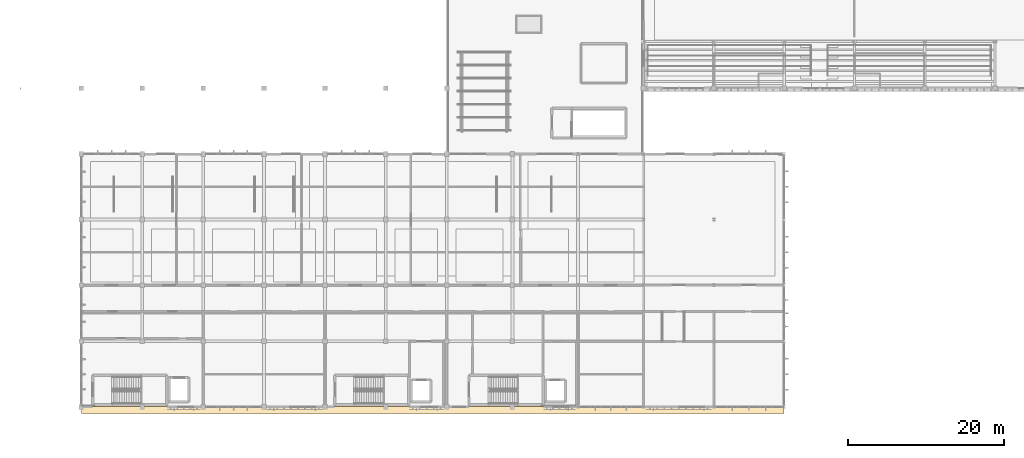
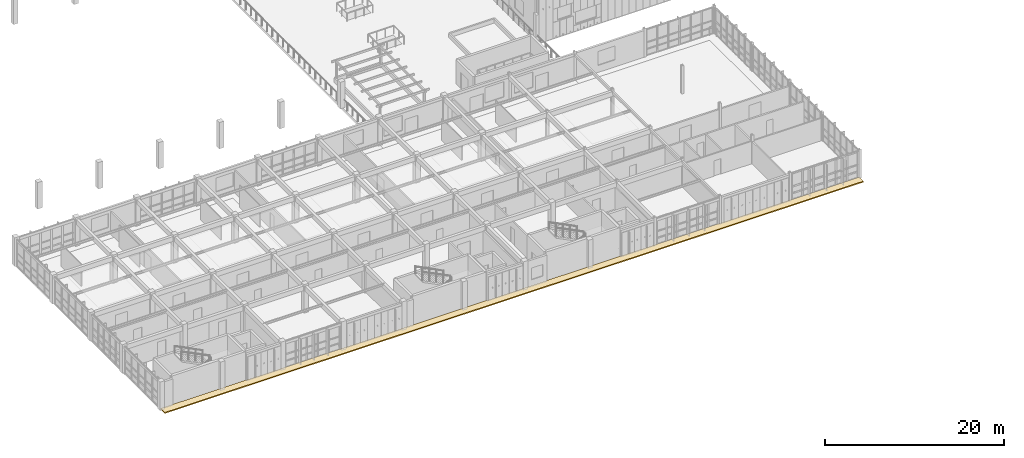
# One storey, part 57 of 67: 1 covering.
"""IFC4 building model written with IfcOpenShell, lengths in metres."""

from ifc_helpers import new_model, si_unit, direction, frame, origin, place, context, subcontext, project, spatial, polyline, outline, extrude, material, layer, layer_set, type_object, element, save


model = new_model("IFC4")

# Units and contexts
model_context = context("Model", 3, precision=1e-05, world=origin(), true_north=direction((0.0, 1.0)))
body_context = subcontext(model_context, "Body", "Model", "MODEL_VIEW")
ifc_project = project(units=[si_unit("LENGTHUNIT", "METRE"), si_unit("AREAUNIT", "SQUARE_METRE"), si_unit("VOLUMEUNIT", "CUBIC_METRE"), si_unit("PLANEANGLEUNIT", "RADIAN"), si_unit("MASSUNIT", "GRAM", prefix="KILO")], contexts=[model_context])

# Site, building, storey
site_placement = place(None, origin())
site = spatial("IfcSite", under=ifc_project, at=site_placement, CompositionType="ELEMENT")
building_placement = place(site_placement, origin())
building = spatial("IfcBuilding", under=site, at=building_placement, Name="Tizgana Railside Sports Hall", CompositionType="ELEMENT")
storey_placement = place(building_placement, frame((0.0, 0.0, 12.0)))
storey = spatial("IfcBuildingStorey", under=building, at=storey_placement, Name="L02", CompositionType="ELEMENT", Elevation=12.0)

# Covering
ifc_material = material(Name="Anodised aluminium roofing", Category="aluminium")
ifc_layer = layer(ifc_material, 0.080078125, Name="Anodised aluminium roofing")
ifc_layer_set = layer_set([ifc_layer], Name="Anodised aluminium roofing")
covering_type = type_object("IfcCoveringType", Name="Standing-Seam Insulated Vault Roofing", PredefinedType="ROOFING", material=ifc_layer_set)
covering_placement = place(storey_placement, frame((0.0, 0.0, -0.139892578125)))
element("IfcCovering", 1, at=covering_placement, inside=storey, type_object=covering_type, Name="L02 South Sun Canopy", PredefinedType="ROOFING", context=body_context, shape_type="SweptSolid", body=[
    extrude(outline(polyline([(7.800048828125, -0.85009765625), (97.800048828125, -0.85009765625), (97.800048828125, 0.080078125), (7.800048828125, 0.080078125), (7.800048828125, -0.85009765625)])), origin(), (0.0, 0.0, 1.0), 0.139892578125),
])

save(model, "model.ifc")
